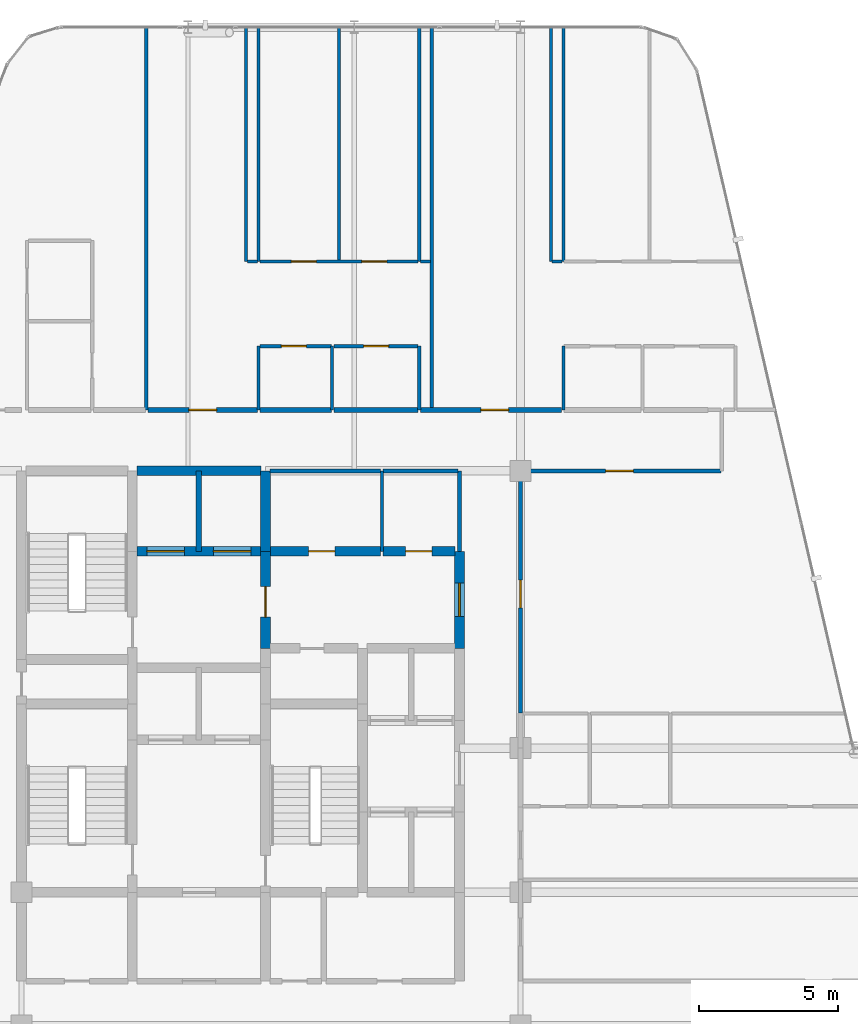
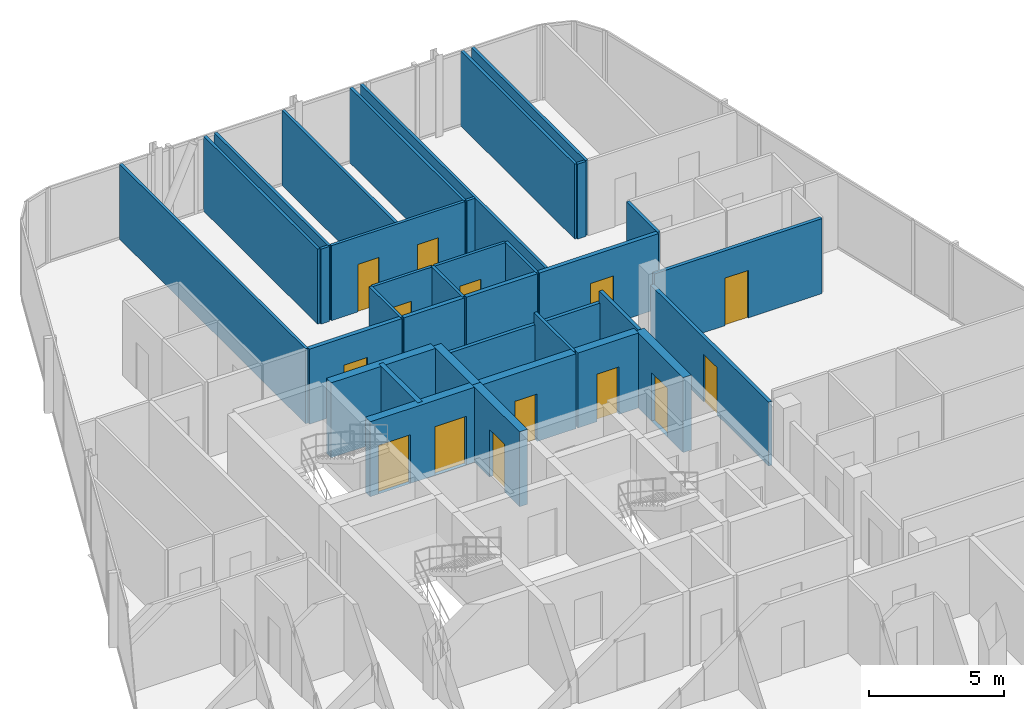
# One storey, part 27 of 29: 36 walls, 14 doors, 14 openings.
"""IFC4 building model written with IfcOpenShell, lengths in metres."""

from ifc_helpers import new_model, si_unit, direction, frame, frame_2d, origin, place, context, subcontext, project, spatial, rectangle, extrude, material, layer, layer_set, type_object, element, fill, save


model = new_model("IFC4")

# Units and contexts
model_context = context("Model", 3, precision=1e-05, world=origin(), true_north=direction((0.0, 1.0)))
body_context = subcontext(model_context, "Body", "Model", "MODEL_VIEW")
ifc_project = project(units=[si_unit("LENGTHUNIT", "METRE"), si_unit("AREAUNIT", "SQUARE_METRE"), si_unit("VOLUMEUNIT", "CUBIC_METRE"), si_unit("PLANEANGLEUNIT", "RADIAN"), si_unit("MASSUNIT", "GRAM", prefix="KILO")], contexts=[model_context])

# Site, building, storey
site_placement = place(None, origin())
site = spatial("IfcSite", under=ifc_project, at=site_placement, CompositionType="ELEMENT")
building_placement = place(site_placement, origin())
building = spatial("IfcBuilding", under=site, at=building_placement, Name="Keshet Zoharim Tower", CompositionType="ELEMENT")
storey_placement = place(building_placement, frame((0.0, 0.0, 210.60009765625)))
storey = spatial("IfcBuildingStorey", under=building, at=storey_placement, Name="L52", CompositionType="ELEMENT", Elevation=210.60009765625)

# Wall
ifc_material_1 = material(Name="Gypsum Plasterboard", Category="gypsum")
ifc_layer_1 = layer(ifc_material_1, 0.14990234375)
ifc_layer_set_1 = layer_set([ifc_layer_1], Name="Gypsum Plasterboard")
wall_type_1 = type_object("IfcWallType", Name="WL-CLIN-150", PredefinedType="STANDARD", material=ifc_layer_set_1)
wall_1_placement = place(storey_placement, frame((30.800048828125, 35.0, 0.0), z_axis=(0.0, 0.0, 1.0), x_axis=(0.0, 1.0, 0.0)))
element("IfcWall", 1, at=wall_1_placement, inside=storey, type_object=wall_type_1, Name="L52 Interior Wall 065", PredefinedType="STANDARD", context=body_context, shape_type="SweptSolid", body=[
    extrude(rectangle(XDim=2.89990234375, YDim=0.14990234375, at=frame_2d((1.449951171875, 0.0))), origin(), (0.0, 0.0, 1.0), 3.389892578125),
])

# Wall, opening, door
wall_2_placement = place(storey_placement, frame((33.0, 29.159912109375, 0.0), z_axis=(0.0, 0.0, 1.0), x_axis=(0.0, 1.0, 0.0)))
wall_2 = element("IfcWall", 2, at=wall_2_placement, inside=storey, type_object=wall_type_1, Name="L52 Interior Wall 070", PredefinedType="STANDARD", context=body_context, shape_type="SweptSolid", body=[
    extrude(rectangle(XDim=8.739990234375, YDim=0.14990234375, at=frame_2d((4.3701171875, 0.0))), origin(), (0.0, 0.0, 1.0), 2.889892578125),
])
opening_1_placement = place(wall_2_placement, frame((3.799072265625, 0.0, 0.0)))
opening_1 = element("IfcOpeningElement", 3, at=opening_1_placement, cuts=wall_2, Name="Opening D-F310", PredefinedType="OPENING", context=body_context, shape_type="SweptSolid", body=[
    extrude(rectangle(XDim=1.0, YDim=2.14990234375, at=frame_2d((0.5, 1.074951171875))), frame((0.0, 0.0849609375, 0.0), z_axis=(0.0, -1.0, 0.0), x_axis=(1.0, 0.0, 0.0)), (0.0, 0.0, 1.0), 0.169921875),
])
ifc_material_2 = material(Name="Hardwood Timber", Category="wood")
door_type_1 = type_object("IfcDoorType", Name="DR-FD30-100", OperationType="NOTDEFINED", PredefinedType="DOOR", material=ifc_material_2)
door_1_placement = place(opening_1_placement, origin())
door_1 = element("IfcDoor", 4, at=door_1_placement, inside=storey, type_object=door_type_1, Name="L52 North West Residents Services Suite Door 1", OperationType="SINGLE_SWING_RIGHT", OverallHeight=2.14990234375, OverallWidth=1.0, PredefinedType="DOOR", context=body_context, shape_type="SweptSolid", body=[
    extrude(rectangle(XDim=1.0, YDim=2.14990234375, at=frame_2d((0.5, 1.074951171875))), frame((0.0, 0.02490234375, 0.0), z_axis=(0.0, -1.0, 0.0), x_axis=(1.0, 0.0, 0.0)), (0.0, 0.0, 1.0), 0.050048828125),
])
fill(opening_1, door_1)

# Walls
wall_3_placement = place(storey_placement, frame((23.9599609375, 37.89990234375, 0.0), z_axis=(0.0, 0.0, 1.0), x_axis=(1.0, 0.0, 0.0)))
element("IfcWall", 5, at=wall_3_placement, inside=storey, type_object=wall_type_1, Name="L52 Interior Wall 175", PredefinedType="STANDARD", context=body_context, shape_type="SweptSolid", body=[
    extrude(rectangle(XDim=3.9951171875, YDim=0.14990234375, at=frame_2d((1.99755859375, 0.0))), origin(), (0.0, 0.0, 1.0), 2.889892578125),
])
wall_4_placement = place(storey_placement, frame((28.044921875, 37.89990234375, 0.0), z_axis=(0.0, 0.0, 1.0), x_axis=(1.0, 0.0, 0.0)))
element("IfcWall", 6, at=wall_4_placement, inside=storey, type_object=wall_type_1, Name="L52 Interior Wall 176", PredefinedType="STANDARD", context=body_context, shape_type="SweptSolid", body=[
    extrude(rectangle(XDim=2.695068359375, YDim=0.14990234375, at=frame_2d((1.34765625, 0.0))), origin(), (0.0, 0.0, 1.0), 2.889892578125),
])

# Wall, opening, door
wall_5_placement = place(storey_placement, frame((33.06005859375, 37.89990234375, 0.0), z_axis=(0.0, 0.0, 1.0), x_axis=(1.0, 0.0, 0.0)))
wall_5 = element("IfcWall", 7, at=wall_5_placement, inside=storey, type_object=wall_type_1, Name="L52 Interior Wall 177", PredefinedType="STANDARD", context=body_context, shape_type="SweptSolid", body=[
    extrude(rectangle(XDim=7.1640625, YDim=0.14990234375, at=frame_2d((3.58203125, 0.0))), origin(), (0.0, 0.0, 1.0), 3.389892578125),
])
opening_2_placement = place(wall_5_placement, frame((3.00390625, 0.0, 0.0)))
opening_2 = element("IfcOpeningElement", 8, at=opening_2_placement, cuts=wall_5, Name="Opening D-F310", PredefinedType="OPENING", context=body_context, shape_type="SweptSolid", body=[
    extrude(rectangle(XDim=1.0, YDim=2.14990234375, at=frame_2d((0.5, 1.074951171875))), frame((0.0, 0.0849609375, 0.0), z_axis=(0.0, -1.0, 0.0), x_axis=(1.0, 0.0, 0.0)), (0.0, 0.0, 1.0), 0.169921875),
])
door_2_placement = place(opening_2_placement, origin())
door_2 = element("IfcDoor", 9, at=door_2_placement, inside=storey, type_object=door_type_1, Name="L52 North West Residents Services Suite Door 2", OperationType="SINGLE_SWING_RIGHT", OverallHeight=2.14990234375, OverallWidth=1.0, PredefinedType="DOOR", context=body_context, shape_type="SweptSolid", body=[
    extrude(rectangle(XDim=1.0, YDim=2.14990234375, at=frame_2d((0.5, 1.074951171875))), frame((0.0, 0.02490234375, 0.0), z_axis=(0.0, -1.0, 0.0), x_axis=(1.0, 0.0, 0.0)), (0.0, 0.0, 1.0), 0.050048828125),
])
fill(opening_2, door_2)

ifc_material_3 = material(Name="Concrete C60/75", Category="concrete")
ifc_layer_2 = layer(ifc_material_3, 0.35009765625)
ifc_layer_set_2 = layer_set([ifc_layer_2], Name="Concrete C60/75")
wall_type_2 = type_object("IfcWallType", Name="WL-CORE-350", PredefinedType="SHEAR", material=ifc_layer_set_2)
wall_6_placement = place(storey_placement, frame((23.800048828125, 31.5, 0.0), z_axis=(0.0, 0.0, 1.0), x_axis=(0.0, 1.0, 0.0)))
wall_6 = element("IfcWall", 10, at=wall_6_placement, inside=storey, type_object=wall_type_2, Name="L52 Core Shear Wall 042", PredefinedType="SHEAR", context=body_context, shape_type="SweptSolid", body=[
    extrude(rectangle(XDim=3.5, YDim=0.35009765625, at=frame_2d((1.75, 0.0))), origin(), (0.0, 0.0, 1.0), 3.389892578125),
])
opening_3_placement = place(wall_6_placement, frame((1.126953125, 0.0, 0.0)))
opening_3 = element("IfcOpeningElement", 11, at=opening_3_placement, cuts=wall_6, Name="Opening D-F611", PredefinedType="OPENING", context=body_context, shape_type="SweptSolid", body=[
    extrude(rectangle(XDim=1.10009765625, YDim=2.14990234375, at=frame_2d((0.550048828125, 1.074951171875))), frame((0.0, 0.18505859375, 0.0), z_axis=(0.0, -1.0, 0.0), x_axis=(1.0, 0.0, 0.0)), (0.0, 0.0, 1.0), 0.3701171875),
])
door_type_2 = type_object("IfcDoorType", Name="DR-FD60-110", OperationType="NOTDEFINED", PredefinedType="DOOR", material=ifc_material_2)
door_3_placement = place(opening_3_placement, origin())
door_3 = element("IfcDoor", 12, at=door_3_placement, inside=storey, type_object=door_type_2, Name="L52 Firefighting Lobby Fire Door", OperationType="SINGLE_SWING_LEFT", OverallHeight=2.14990234375, OverallWidth=1.10009765625, PredefinedType="DOOR", context=body_context, shape_type="SweptSolid", body=[
    extrude(rectangle(XDim=1.10009765625, YDim=2.14990234375, at=frame_2d((0.550048828125, 1.074951171875))), frame((0.0, 0.02490234375, 0.0), z_axis=(0.0, -1.0, 0.0), x_axis=(1.0, 0.0, 0.0)), (0.0, 0.0, 1.0), 0.050048828125),
])
fill(opening_3, door_3)

# Wall
wall_7_placement = place(storey_placement, frame((23.800048828125, 35.0, 0.0), z_axis=(0.0, 0.0, 1.0), x_axis=(0.0, 1.0, 0.0)))
element("IfcWall", 13, at=wall_7_placement, inside=storey, type_object=wall_type_2, Name="L52 Core Shear Wall 043", PredefinedType="SHEAR", context=body_context, shape_type="SweptSolid", body=[
    extrude(rectangle(XDim=2.89990234375, YDim=0.35009765625, at=frame_2d((1.449951171875, 0.0))), origin(), (0.0, 0.0, 1.0), 3.389892578125),
])

# Wall, opening, door
wall_8_placement = place(storey_placement, frame((30.800048828125, 31.5, 0.0), z_axis=(0.0, 0.0, 1.0), x_axis=(0.0, 1.0, 0.0)))
wall_8 = element("IfcWall", 14, at=wall_8_placement, inside=storey, type_object=wall_type_2, Name="L52 Core Shear Wall 064", PredefinedType="SHEAR", context=body_context, shape_type="SweptSolid", body=[
    extrude(rectangle(XDim=3.5, YDim=0.35009765625, at=frame_2d((1.75, 0.0))), origin(), (0.0, 0.0, 1.0), 3.389892578125),
])
opening_4_placement = place(wall_8_placement, frame((1.14990234375, 0.0, 0.0)))
opening_4 = element("IfcOpeningElement", 15, at=opening_4_placement, cuts=wall_8, Name="Opening D-F612", PredefinedType="OPENING", context=body_context, shape_type="SweptSolid", body=[
    extrude(rectangle(XDim=1.199951171875, YDim=2.199951171875, at=frame_2d((0.60009765625, 1.10009765625))), frame((0.0, 0.18505859375, 0.0), z_axis=(0.0, -1.0, 0.0), x_axis=(1.0, 0.0, 0.0)), (0.0, 0.0, 1.0), 0.3701171875),
])
door_type_3 = type_object("IfcDoorType", Name="DR-FD60-120", OperationType="NOTDEFINED", PredefinedType="DOOR", material=ifc_material_2)
door_4_placement = place(opening_4_placement, origin())
door_4 = element("IfcDoor", 16, at=door_4_placement, inside=storey, type_object=door_type_3, Name="L52 North Lift Lobby East Fire Door", OperationType="SINGLE_SWING_LEFT", OverallHeight=2.199951171875, OverallWidth=1.199951171875, PredefinedType="DOOR", context=body_context, shape_type="SweptSolid", body=[
    extrude(rectangle(XDim=1.199951171875, YDim=2.199951171875, at=frame_2d((0.60009765625, 1.10009765625))), frame((0.0, 0.02490234375, 0.0), z_axis=(0.0, -1.0, 0.0), x_axis=(1.0, 0.0, 0.0)), (0.0, 0.0, 1.0), 0.050048828125),
])
fill(opening_4, door_4)

# Wall, openings, doors
wall_9_placement = place(storey_placement, frame((19.159912109375, 35.0, 0.0), z_axis=(0.0, 0.0, 1.0), x_axis=(1.0, 0.0, 0.0)))
wall_9 = element("IfcWall", 17, at=wall_9_placement, inside=storey, type_object=wall_type_2, Name="L52 Core Shear Wall 170", PredefinedType="SHEAR", context=body_context, shape_type="SweptSolid", body=[
    extrude(rectangle(XDim=4.47998046875, YDim=0.35009765625, at=frame_2d((2.239990234375, 0.0))), origin(), (0.0, 0.0, 1.0), 3.389892578125),
])
opening_5_placement = place(wall_9_placement, frame((0.364990234375, 0.0, 0.0)))
opening_5 = element("IfcOpeningElement", 18, at=opening_5_placement, cuts=wall_9, Name="Opening LD-02", PredefinedType="OPENING", context=body_context, shape_type="SweptSolid", body=[
    extrude(rectangle(XDim=1.35009765625, YDim=2.199951171875, at=frame_2d((0.675048828125, 1.10009765625))), frame((0.0, 0.18505859375, 0.0), z_axis=(0.0, -1.0, 0.0), x_axis=(1.0, 0.0, 0.0)), (0.0, 0.0, 1.0), 0.3701171875),
])
opening_6_placement = place(wall_9_placement, frame((2.764892578125, 0.0, 0.0)))
opening_6 = element("IfcOpeningElement", 19, at=opening_6_placement, cuts=wall_9, Name="Opening LD-02", PredefinedType="OPENING", context=body_context, shape_type="SweptSolid", body=[
    extrude(rectangle(XDim=1.35009765625, YDim=2.199951171875, at=frame_2d((0.675048828125, 1.10009765625))), frame((0.0, 0.18505859375, 0.0), z_axis=(0.0, -1.0, 0.0), x_axis=(1.0, 0.0, 0.0)), (0.0, 0.0, 1.0), 0.3701171875),
])
ifc_material_4 = material(Name="Steel S355", Category="steel")
door_type_4 = type_object("IfcDoorType", Name="DR-LD02-135", OperationType="DOUBLE_DOOR_SLIDING", PredefinedType="DOOR", material=ifc_material_4)
door_5_placement = place(opening_5_placement, origin())
door_5 = element("IfcDoor", 20, at=door_5_placement, inside=storey, type_object=door_type_4, Name="L52 Firefighting Lift Landing Door FF-01", OperationType="DOUBLE_DOOR_SLIDING", OverallHeight=2.199951171875, OverallWidth=1.35009765625, PredefinedType="DOOR", context=body_context, shape_type="SweptSolid", body=[
    extrude(rectangle(XDim=1.35009765625, YDim=2.199951171875, at=frame_2d((0.675048828125, 1.10009765625))), frame((0.0, 0.02490234375, 0.0), z_axis=(0.0, -1.0, 0.0), x_axis=(1.0, 0.0, 0.0)), (0.0, 0.0, 1.0), 0.050048828125),
])
fill(opening_5, door_5)
door_6_placement = place(opening_6_placement, origin())
door_6 = element("IfcDoor", 21, at=door_6_placement, inside=storey, type_object=door_type_4, Name="L52 Firefighting Lift Landing Door FF-02", OperationType="DOUBLE_DOOR_SLIDING", OverallHeight=2.199951171875, OverallWidth=1.35009765625, PredefinedType="DOOR", context=body_context, shape_type="SweptSolid", body=[
    extrude(rectangle(XDim=1.35009765625, YDim=2.199951171875, at=frame_2d((0.675048828125, 1.10009765625))), frame((0.0, 0.02490234375, 0.0), z_axis=(0.0, -1.0, 0.0), x_axis=(1.0, 0.0, 0.0)), (0.0, 0.0, 1.0), 0.050048828125),
])
fill(opening_6, door_6)

# Wall, opening, door
wall_10_placement = place(storey_placement, frame((23.9599609375, 35.0, 0.0), z_axis=(0.0, 0.0, 1.0), x_axis=(1.0, 0.0, 0.0)))
wall_10 = element("IfcWall", 22, at=wall_10_placement, inside=storey, type_object=wall_type_2, Name="L52 Core Shear Wall 171", PredefinedType="SHEAR", context=body_context, shape_type="SweptSolid", body=[
    extrude(rectangle(XDim=3.9951171875, YDim=0.35009765625, at=frame_2d((1.99755859375, 0.0))), origin(), (0.0, 0.0, 1.0), 3.389892578125),
])
opening_7_placement = place(wall_10_placement, frame((1.39306640625, 0.0, 0.0)))
opening_7 = element("IfcOpeningElement", 23, at=opening_7_placement, cuts=wall_10, Name="Opening D-F695", PredefinedType="OPENING", context=body_context, shape_type="SweptSolid", body=[
    extrude(rectangle(XDim=0.949951171875, YDim=2.14990234375, at=frame_2d((0.47509765625, 1.074951171875))), frame((0.0, 0.18505859375, 0.0), z_axis=(0.0, -1.0, 0.0), x_axis=(1.0, 0.0, 0.0)), (0.0, 0.0, 1.0), 0.3701171875),
])
door_type_5 = type_object("IfcDoorType", Name="DR-FD60-095", OperationType="NOTDEFINED", PredefinedType="DOOR", material=ifc_material_2)
door_7_placement = place(opening_7_placement, frame((0.949951171875, 0.0, 0.0), z_axis=(0.0, 0.0, 1.0), x_axis=(-1.0, 0.0, 0.0)))
door_7 = element("IfcDoor", 24, at=door_7_placement, inside=storey, type_object=door_type_5, Name="L52 Laundry Room Door", OperationType="SINGLE_SWING_RIGHT", OverallHeight=2.14990234375, OverallWidth=0.949951171875, PredefinedType="DOOR", context=body_context, shape_type="SweptSolid", body=[
    extrude(rectangle(XDim=0.949951171875, YDim=2.14990234375, at=frame_2d((0.47509765625, 1.074951171875))), frame((0.0, 0.02490234375, 0.0), z_axis=(0.0, -1.0, 0.0), x_axis=(1.0, 0.0, 0.0)), (0.0, 0.0, 1.0), 0.050048828125),
])
fill(opening_7, door_7)

wall_11_placement = place(storey_placement, frame((28.044921875, 35.0, 0.0), z_axis=(0.0, 0.0, 1.0), x_axis=(1.0, 0.0, 0.0)))
wall_11 = element("IfcWall", 25, at=wall_11_placement, inside=storey, type_object=wall_type_2, Name="L52 Core Shear Wall 172", PredefinedType="SHEAR", context=body_context, shape_type="SweptSolid", body=[
    extrude(rectangle(XDim=2.594970703125, YDim=0.35009765625, at=frame_2d((1.29736328125, 0.0))), origin(), (0.0, 0.0, 1.0), 3.389892578125),
])
opening_8_placement = place(wall_11_placement, frame((0.805908203125, 0.0, 0.0)))
opening_8 = element("IfcOpeningElement", 26, at=opening_8_placement, cuts=wall_11, Name="Opening D-F695", PredefinedType="OPENING", context=body_context, shape_type="SweptSolid", body=[
    extrude(rectangle(XDim=0.949951171875, YDim=2.14990234375, at=frame_2d((0.47509765625, 1.074951171875))), frame((0.0, 0.18505859375, 0.0), z_axis=(0.0, -1.0, 0.0), x_axis=(1.0, 0.0, 0.0)), (0.0, 0.0, 1.0), 0.3701171875),
])
door_8_placement = place(opening_8_placement, frame((0.949951171875, 0.0, 0.0), z_axis=(0.0, 0.0, 1.0), x_axis=(-1.0, 0.0, 0.0)))
door_8 = element("IfcDoor", 27, at=door_8_placement, inside=storey, type_object=door_type_5, Name="L52 Quiet Study Room Door", OperationType="SINGLE_SWING_LEFT", OverallHeight=2.14990234375, OverallWidth=0.949951171875, PredefinedType="DOOR", context=body_context, shape_type="SweptSolid", body=[
    extrude(rectangle(XDim=0.949951171875, YDim=2.14990234375, at=frame_2d((0.47509765625, 1.074951171875))), frame((0.0, 0.02490234375, 0.0), z_axis=(0.0, -1.0, 0.0), x_axis=(1.0, 0.0, 0.0)), (0.0, 0.0, 1.0), 0.050048828125),
])
fill(opening_8, door_8)

# Wall
wall_12_placement = place(storey_placement, frame((19.159912109375, 37.89990234375, 0.0), z_axis=(0.0, 0.0, 1.0), x_axis=(1.0, 0.0, 0.0)))
element("IfcWall", 28, at=wall_12_placement, inside=storey, type_object=wall_type_2, Name="L52 Core Shear Wall 174", PredefinedType="SHEAR", context=body_context, shape_type="SweptSolid", body=[
    extrude(rectangle(XDim=4.47998046875, YDim=0.35009765625, at=frame_2d((2.239990234375, 0.0))), origin(), (0.0, 0.0, 1.0), 3.389892578125),
])

# Wall, opening, door
ifc_layer_3 = layer(ifc_material_1, 0.179931640625)
ifc_layer_set_3 = layer_set([ifc_layer_3], Name="Gypsum Plasterboard")
wall_type_3 = type_object("IfcWallType", Name="WL-CORR-180", PredefinedType="STANDARD", material=ifc_layer_set_3)
wall_13_placement = place(storey_placement, frame((19.554931640625, 40.10009765625, 0.0), z_axis=(0.0, 0.0, 1.0), x_axis=(1.0, 0.0, 0.0)))
wall_13 = element("IfcWall", 29, at=wall_13_placement, inside=storey, type_object=wall_type_3, Name="L52 Interior Wall 183", PredefinedType="STANDARD", context=body_context, shape_type="SweptSolid", body=[
    extrude(rectangle(XDim=3.9599609375, YDim=0.179931640625, at=frame_2d((1.97998046875, 0.0))), origin(), (0.0, 0.0, 1.0), 3.389892578125),
])
opening_9_placement = place(wall_13_placement, frame((1.47998046875, 0.0, 0.0)))
opening_9 = element("IfcOpeningElement", 30, at=opening_9_placement, cuts=wall_13, Name="Opening D-F310", PredefinedType="OPENING", context=body_context, shape_type="SweptSolid", body=[
    extrude(rectangle(XDim=1.0, YDim=2.14990234375, at=frame_2d((0.5, 1.074951171875))), frame((0.0, 0.10009765625, 0.0), z_axis=(0.0, -1.0, 0.0), x_axis=(1.0, 0.0, 0.0)), (0.0, 0.0, 1.0), 0.199951171875),
])
door_9_placement = place(opening_9_placement, origin())
door_9 = element("IfcDoor", 31, at=door_9_placement, inside=storey, type_object=door_type_1, Name="Apartment 5205 Entrance Door", OperationType="SINGLE_SWING_RIGHT", OverallHeight=2.14990234375, OverallWidth=1.0, PredefinedType="DOOR", context=body_context, shape_type="SweptSolid", body=[
    extrude(rectangle(XDim=1.0, YDim=2.14990234375, at=frame_2d((0.5, 1.074951171875))), frame((0.0, 0.02490234375, 0.0), z_axis=(0.0, -1.0, 0.0), x_axis=(1.0, 0.0, 0.0)), (0.0, 0.0, 1.0), 0.050048828125),
])
fill(opening_9, door_9)

# Walls
wall_14_placement = place(storey_placement, frame((23.60498046875, 40.10009765625, 0.0), z_axis=(0.0, 0.0, 1.0), x_axis=(1.0, 0.0, 0.0)))
element("IfcWall", 32, at=wall_14_placement, inside=storey, type_object=wall_type_3, Name="L52 Interior Wall 184", PredefinedType="STANDARD", context=body_context, shape_type="SweptSolid", body=[
    extrude(rectangle(XDim=2.572998046875, YDim=0.179931640625, at=frame_2d((1.28662109375, 0.0))), origin(), (0.0, 0.0, 1.0), 3.389892578125),
])
wall_15_placement = place(storey_placement, frame((26.26806640625, 40.10009765625, 0.0), z_axis=(0.0, 0.0, 1.0), x_axis=(1.0, 0.0, 0.0)))
element("IfcWall", 33, at=wall_15_placement, inside=storey, type_object=wall_type_3, Name="L52 Interior Wall 185", PredefinedType="STANDARD", context=body_context, shape_type="SweptSolid", body=[
    extrude(rectangle(XDim=3.036865234375, YDim=0.179931640625, at=frame_2d((1.5185546875, 0.0))), origin(), (0.0, 0.0, 1.0), 3.389892578125),
])

# Wall, opening, door
wall_16_placement = place(storey_placement, frame((29.39501953125, 40.10009765625, 0.0), z_axis=(0.0, 0.0, 1.0), x_axis=(1.0, 0.0, 0.0)))
wall_16 = element("IfcWall", 34, at=wall_16_placement, inside=storey, type_object=wall_type_3, Name="L52 Interior Wall 186", PredefinedType="STANDARD", context=body_context, shape_type="SweptSolid", body=[
    extrude(rectangle(XDim=5.090087890625, YDim=0.179931640625, at=frame_2d((2.544921875, 0.0))), origin(), (0.0, 0.0, 1.0), 3.389892578125),
])
opening_10_placement = place(wall_16_placement, frame((2.174072265625, 0.0, 0.0)))
opening_10 = element("IfcOpeningElement", 35, at=opening_10_placement, cuts=wall_16, Name="Opening D-F310", PredefinedType="OPENING", context=body_context, shape_type="SweptSolid", body=[
    extrude(rectangle(XDim=1.0, YDim=2.14990234375, at=frame_2d((0.5, 1.074951171875))), frame((0.0, 0.10009765625, 0.0), z_axis=(0.0, -1.0, 0.0), x_axis=(1.0, 0.0, 0.0)), (0.0, 0.0, 1.0), 0.199951171875),
])
door_10_placement = place(opening_10_placement, origin())
door_10 = element("IfcDoor", 36, at=door_10_placement, inside=storey, type_object=door_type_1, Name="Apartment 5206 Entrance Door", OperationType="SINGLE_SWING_LEFT", OverallHeight=2.14990234375, OverallWidth=1.0, PredefinedType="DOOR", context=body_context, shape_type="SweptSolid", body=[
    extrude(rectangle(XDim=1.0, YDim=2.14990234375, at=frame_2d((0.5, 1.074951171875))), frame((0.0, 0.02490234375, 0.0), z_axis=(0.0, -1.0, 0.0), x_axis=(1.0, 0.0, 0.0)), (0.0, 0.0, 1.0), 0.050048828125),
])
fill(opening_10, door_10)

# Walls
ifc_material_5 = material(Name="Concrete C50/60", Category="concrete")
ifc_layer_4 = layer(ifc_material_5, 0.199951171875)
ifc_layer_set_4 = layer_set([ifc_layer_4], Name="Concrete C50/60")
wall_type_4 = type_object("IfcWallType", Name="WL-FIRE-200", PredefinedType="STANDARD", material=ifc_layer_set_4)
wall_17_placement = place(storey_placement, frame((21.39990234375, 35.0, 0.0), z_axis=(0.0, 0.0, 1.0), x_axis=(0.0, 1.0, 0.0)))
element("IfcWall", 37, at=wall_17_placement, inside=storey, type_object=wall_type_4, Name="L52 Interior Wall 033", PredefinedType="STANDARD", context=body_context, shape_type="SweptSolid", body=[
    extrude(rectangle(XDim=2.89990234375, YDim=0.199951171875, at=frame_2d((1.449951171875, 0.0))), origin(), (0.0, 0.0, 1.0), 3.389892578125),
])
ifc_layer_5 = layer(ifc_material_1, 0.1201171875)
ifc_layer_set_5 = layer_set([ifc_layer_5], Name="Gypsum Plasterboard")
wall_type_5 = type_object("IfcWallType", Name="WL-PART-120", PredefinedType="PARTITIONING", material=ifc_layer_set_5)
wall_18_placement = place(storey_placement, frame((19.5, 40.10009765625, 0.0), z_axis=(0.0, 0.0, 1.0), x_axis=(0.0, 1.0, 0.0)))
element("IfcWall", 38, at=wall_18_placement, inside=storey, type_object=wall_type_5, Name="L52 Interior Wall 030", PredefinedType="PARTITIONING", context=body_context, shape_type="SweptSolid", body=[
    extrude(rectangle(XDim=13.789794921875, YDim=0.1201171875, at=frame_2d((6.89501953125, 0.0))), origin(), (0.0, 0.0, 1.0), 3.389892578125),
])
wall_19_placement = place(storey_placement, frame((23.10009765625, 45.449951171875, 0.0), z_axis=(0.0, 0.0, 1.0), x_axis=(0.0, 1.0, 0.0)))
element("IfcWall", 39, at=wall_19_placement, inside=storey, type_object=wall_type_5, Name="L52 Interior Wall 034", PredefinedType="PARTITIONING", context=body_context, shape_type="SweptSolid", body=[
    extrude(rectangle(XDim=8.43994140625, YDim=0.1201171875, at=frame_2d((4.219970703125, 0.0))), origin(), (0.0, 0.0, 1.0), 3.389892578125),
])
wall_20_placement = place(storey_placement, frame((23.550048828125, 40.10009765625, 0.0), z_axis=(0.0, 0.0, 1.0), x_axis=(0.0, 1.0, 0.0)))
element("IfcWall", 40, at=wall_20_placement, inside=storey, type_object=wall_type_5, Name="L52 Interior Wall 035", PredefinedType="PARTITIONING", context=body_context, shape_type="SweptSolid", body=[
    extrude(rectangle(XDim=2.2998046875, YDim=0.1201171875, at=frame_2d((1.14990234375, 0.0))), origin(), (0.0, 0.0, 1.0), 3.389892578125),
])
for number, where, z_axis, x_axis, name in (
    (41, (23.550048828125, 45.449951171875, 0.0), (0.0, 0.0, 1.0), (0.0, 1.0, 0.0), "L52 Interior Wall 036"),
    (42, (26.449951171875, 45.449951171875, 0.0), (0.0, 0.0, 1.0), (0.0, 1.0, 0.0), "L52 Interior Wall 047"),
):
    element("IfcWall", number, at=place(storey_placement, frame(where, z_axis=z_axis, x_axis=x_axis)), inside=storey, type_object=wall_type_5, Name=name, PredefinedType="PARTITIONING", context=body_context, shape_type="SweptSolid", body=[
        extrude(rectangle(XDim=8.43994140625, YDim=0.1201171875, at=frame_2d((4.219970703125, 0.0))), origin(), (0.0, 0.0, 1.0), 3.389892578125),
    ])
wall_21_placement = place(storey_placement, frame((28.0, 35.0, 0.0), z_axis=(0.0, 0.0, 1.0), x_axis=(0.0, 1.0, 0.0)))
element("IfcWall", 43, at=wall_21_placement, inside=storey, type_object=wall_type_5, Name="L52 Interior Wall 052", PredefinedType="PARTITIONING", context=body_context, shape_type="SweptSolid", body=[
    extrude(rectangle(XDim=2.89990234375, YDim=0.1201171875, at=frame_2d((1.449951171875, 0.0))), origin(), (0.0, 0.0, 1.0), 3.389892578125),
])
wall_22_placement = place(storey_placement, frame((29.35009765625, 45.449951171875, 0.0), z_axis=(0.0, 0.0, 1.0), x_axis=(0.0, 1.0, 0.0)))
element("IfcWall", 44, at=wall_22_placement, inside=storey, type_object=wall_type_5, Name="L52 Interior Wall 056", PredefinedType="PARTITIONING", context=body_context, shape_type="SweptSolid", body=[
    extrude(rectangle(XDim=8.43994140625, YDim=0.1201171875, at=frame_2d((4.219970703125, 0.0))), origin(), (0.0, 0.0, 1.0), 3.389892578125),
])
wall_23_placement = place(storey_placement, frame((29.800048828125, 40.10009765625, 0.0), z_axis=(0.0, 0.0, 1.0), x_axis=(0.0, 1.0, 0.0)))
element("IfcWall", 45, at=wall_23_placement, inside=storey, type_object=wall_type_5, Name="L52 Interior Wall 059", PredefinedType="PARTITIONING", context=body_context, shape_type="SweptSolid", body=[
    extrude(rectangle(XDim=13.789794921875, YDim=0.1201171875, at=frame_2d((6.89501953125, 0.0))), origin(), (0.0, 0.0, 1.0), 3.389892578125),
])
wall_24_placement = place(storey_placement, frame((34.10009765625, 45.449951171875, 0.0), z_axis=(0.0, 0.0, 1.0), x_axis=(0.0, 1.0, 0.0)))
element("IfcWall", 46, at=wall_24_placement, inside=storey, type_object=wall_type_5, Name="L52 Interior Wall 071", PredefinedType="PARTITIONING", context=body_context, shape_type="SweptSolid", body=[
    extrude(rectangle(XDim=8.43994140625, YDim=0.1201171875, at=frame_2d((4.219970703125, 0.0))), origin(), (0.0, 0.0, 1.0), 3.389892578125),
])
wall_25_placement = place(storey_placement, frame((34.550048828125, 40.10009765625, 0.0), z_axis=(0.0, 0.0, 1.0), x_axis=(0.0, 1.0, 0.0)))
element("IfcWall", 47, at=wall_25_placement, inside=storey, type_object=wall_type_5, Name="L52 Interior Wall 073", PredefinedType="PARTITIONING", context=body_context, shape_type="SweptSolid", body=[
    extrude(rectangle(XDim=2.2998046875, YDim=0.1201171875, at=frame_2d((1.14990234375, 0.0))), origin(), (0.0, 0.0, 1.0), 3.389892578125),
])
wall_26_placement = place(storey_placement, frame((34.550048828125, 45.449951171875, 0.0), z_axis=(0.0, 0.0, 1.0), x_axis=(0.0, 1.0, 0.0)))
element("IfcWall", 48, at=wall_26_placement, inside=storey, type_object=wall_type_5, Name="L52 Interior Wall 074", PredefinedType="PARTITIONING", context=body_context, shape_type="SweptSolid", body=[
    extrude(rectangle(XDim=8.43994140625, YDim=0.1201171875, at=frame_2d((4.219970703125, 0.0))), origin(), (0.0, 0.0, 1.0), 3.389892578125),
])

# Wall, opening, door
wall_27_placement = place(storey_placement, frame((23.60498046875, 42.39990234375, 0.0), z_axis=(0.0, 0.0, 1.0), x_axis=(1.0, 0.0, 0.0)))
wall_27 = element("IfcWall", 49, at=wall_27_placement, inside=storey, type_object=wall_type_5, Name="L52 Interior Wall 192", PredefinedType="PARTITIONING", context=body_context, shape_type="SweptSolid", body=[
    extrude(rectangle(XDim=2.572998046875, YDim=0.1201171875, at=frame_2d((1.28662109375, 0.0))), origin(), (0.0, 0.0, 1.0), 3.389892578125),
])
opening_11_placement = place(wall_27_placement, frame((0.76611328125, 0.0, 0.0)))
opening_11 = element("IfcOpeningElement", 50, at=opening_11_placement, cuts=wall_27, Name="Opening D-IN90", PredefinedType="OPENING", context=body_context, shape_type="SweptSolid", body=[
    extrude(rectangle(XDim=0.89990234375, YDim=2.14990234375, at=frame_2d((0.449951171875, 1.074951171875))), frame((0.0, 0.070068359375, 0.0), z_axis=(0.0, -1.0, 0.0), x_axis=(1.0, 0.0, 0.0)), (0.0, 0.0, 1.0), 0.14013671875),
])
door_type_6 = type_object("IfcDoorType", Name="DR-INT-090", OperationType="NOTDEFINED", PredefinedType="DOOR", material=ifc_material_2)
door_11_placement = place(opening_11_placement, origin())
door_11 = element("IfcDoor", 51, at=door_11_placement, inside=storey, type_object=door_type_6, Name="Apartment 5205 Kitchen Door", OperationType="SINGLE_SWING_RIGHT", OverallHeight=2.14990234375, OverallWidth=0.89990234375, PredefinedType="DOOR", context=body_context, shape_type="SweptSolid", body=[
    extrude(rectangle(XDim=0.89990234375, YDim=2.14990234375, at=frame_2d((0.449951171875, 1.074951171875))), frame((0.0, 0.02490234375, 0.0), z_axis=(0.0, -1.0, 0.0), x_axis=(1.0, 0.0, 0.0)), (0.0, 0.0, 1.0), 0.050048828125),
])
fill(opening_11, door_11)

# Wall
wall_28_placement = place(storey_placement, frame((23.155029296875, 45.449951171875, 0.0), z_axis=(0.0, 0.0, 1.0), x_axis=(1.0, 0.0, 0.0)))
element("IfcWall", 52, at=wall_28_placement, inside=storey, type_object=wall_type_5, Name="L52 Interior Wall 197", PredefinedType="PARTITIONING", context=body_context, shape_type="SweptSolid", body=[
    extrude(rectangle(XDim=0.35986328125, YDim=0.1201171875, at=frame_2d((0.179931640625, 0.0))), origin(), (0.0, 0.0, 1.0), 3.389892578125),
])

# Wall, openings, doors
wall_29_placement = place(storey_placement, frame((23.60498046875, 45.449951171875, 0.0), z_axis=(0.0, 0.0, 1.0), x_axis=(1.0, 0.0, 0.0)))
wall_29 = element("IfcWall", 53, at=wall_29_placement, inside=storey, type_object=wall_type_5, Name="L52 Interior Wall 198", PredefinedType="PARTITIONING", context=body_context, shape_type="SweptSolid", body=[
    extrude(rectangle(XDim=5.699951171875, YDim=0.1201171875, at=frame_2d((2.85009765625, 0.0))), origin(), (0.0, 0.0, 1.0), 3.389892578125),
])
opening_12_placement = place(wall_29_placement, frame((1.126953125, 0.0, 0.0)))
opening_12 = element("IfcOpeningElement", 54, at=opening_12_placement, cuts=wall_29, Name="Opening D-IN90", PredefinedType="OPENING", context=body_context, shape_type="SweptSolid", body=[
    extrude(rectangle(XDim=0.89990234375, YDim=2.14990234375, at=frame_2d((0.449951171875, 1.074951171875))), frame((0.0, 0.070068359375, 0.0), z_axis=(0.0, -1.0, 0.0), x_axis=(1.0, 0.0, 0.0)), (0.0, 0.0, 1.0), 0.14013671875),
])
opening_13_placement = place(wall_29_placement, frame((3.672119140625, 0.0, 0.0)))
opening_13 = element("IfcOpeningElement", 55, at=opening_13_placement, cuts=wall_29, Name="Opening D-IN90", PredefinedType="OPENING", context=body_context, shape_type="SweptSolid", body=[
    extrude(rectangle(XDim=0.89990234375, YDim=2.14990234375, at=frame_2d((0.449951171875, 1.074951171875))), frame((0.0, 0.070068359375, 0.0), z_axis=(0.0, -1.0, 0.0), x_axis=(1.0, 0.0, 0.0)), (0.0, 0.0, 1.0), 0.14013671875),
])
door_12_placement = place(opening_12_placement, origin())
door_12 = element("IfcDoor", 56, at=door_12_placement, inside=storey, type_object=door_type_6, Name="Apartment 5205 Bedroom 1 Door", OperationType="SINGLE_SWING_RIGHT", OverallHeight=2.14990234375, OverallWidth=0.89990234375, PredefinedType="DOOR", context=body_context, shape_type="SweptSolid", body=[
    extrude(rectangle(XDim=0.89990234375, YDim=2.14990234375, at=frame_2d((0.449951171875, 1.074951171875))), frame((0.0, 0.02490234375, 0.0), z_axis=(0.0, -1.0, 0.0), x_axis=(1.0, 0.0, 0.0)), (0.0, 0.0, 1.0), 0.050048828125),
])
fill(opening_12, door_12)
door_13_placement = place(opening_13_placement, origin())
door_13 = element("IfcDoor", 57, at=door_13_placement, inside=storey, type_object=door_type_6, Name="Apartment 5205 Bedroom 2 Door", OperationType="SINGLE_SWING_LEFT", OverallHeight=2.14990234375, OverallWidth=0.89990234375, PredefinedType="DOOR", context=body_context, shape_type="SweptSolid", body=[
    extrude(rectangle(XDim=0.89990234375, YDim=2.14990234375, at=frame_2d((0.449951171875, 1.074951171875))), frame((0.0, 0.02490234375, 0.0), z_axis=(0.0, -1.0, 0.0), x_axis=(1.0, 0.0, 0.0)), (0.0, 0.0, 1.0), 0.050048828125),
])
fill(opening_13, door_13)

# Walls
wall_30_placement = place(storey_placement, frame((29.39501953125, 45.449951171875, 0.0), z_axis=(0.0, 0.0, 1.0), x_axis=(1.0, 0.0, 0.0)))
element("IfcWall", 58, at=wall_30_placement, inside=storey, type_object=wall_type_5, Name="L52 Interior Wall 199", PredefinedType="PARTITIONING", context=body_context, shape_type="SweptSolid", body=[
    extrude(rectangle(XDim=0.35986328125, YDim=0.1201171875, at=frame_2d((0.179931640625, 0.0))), origin(), (0.0, 0.0, 1.0), 3.389892578125),
])
wall_31_placement = place(storey_placement, frame((34.125, 45.449951171875, 0.0), z_axis=(0.0, 0.0, 1.0), x_axis=(1.0, 0.0, 0.0)))
element("IfcWall", 59, at=wall_31_placement, inside=storey, type_object=wall_type_5, Name="L52 Interior Wall 200", PredefinedType="PARTITIONING", context=body_context, shape_type="SweptSolid", body=[
    extrude(rectangle(XDim=0.360107421875, YDim=0.1201171875, at=frame_2d((0.18017578125, 0.0))), origin(), (0.0, 0.0, 1.0), 3.389892578125),
])
ifc_layer_6 = layer(ifc_material_1, 0.1201171875)
ifc_layer_set_6 = layer_set([ifc_layer_6], Name="Gypsum Plasterboard")
wall_type_6 = type_object("IfcWallType", Name="WL-WET-120", PredefinedType="PARTITIONING", material=ifc_layer_set_6)
for number, where, z_axis, x_axis, name in (
    (60, (26.199951171875, 40.10009765625, 0.0), (0.0, 0.0, 1.0), (0.0, 1.0, 0.0), "L52 Interior Wall 046"),
    (61, (29.35009765625, 40.10009765625, 0.0), (0.0, 0.0, 1.0), (0.0, 1.0, 0.0), "L52 Interior Wall 055"),
):
    element("IfcWall", number, at=place(storey_placement, frame(where, z_axis=z_axis, x_axis=x_axis)), inside=storey, type_object=wall_type_6, Name=name, PredefinedType="PARTITIONING", context=body_context, shape_type="SweptSolid", body=[
        extrude(rectangle(XDim=2.2998046875, YDim=0.1201171875, at=frame_2d((1.14990234375, 0.0))), origin(), (0.0, 0.0, 1.0), 3.389892578125),
    ])

# Wall, opening, door
wall_32_placement = place(storey_placement, frame((26.26806640625, 42.39990234375, 0.0), z_axis=(0.0, 0.0, 1.0), x_axis=(1.0, 0.0, 0.0)))
wall_32 = element("IfcWall", 62, at=wall_32_placement, inside=storey, type_object=wall_type_6, Name="L52 Interior Wall 193", PredefinedType="PARTITIONING", context=body_context, shape_type="SweptSolid", body=[
    extrude(rectangle(XDim=3.036865234375, YDim=0.1201171875, at=frame_2d((1.5185546875, 0.0))), origin(), (0.0, 0.0, 1.0), 3.389892578125),
])
opening_14_placement = place(wall_32_placement, frame((1.069091796875, 0.0, 0.0)))
opening_14 = element("IfcOpeningElement", 63, at=opening_14_placement, cuts=wall_32, Name="Opening D-WT90", PredefinedType="OPENING", context=body_context, shape_type="SweptSolid", body=[
    extrude(rectangle(XDim=0.89990234375, YDim=2.10009765625, at=frame_2d((0.449951171875, 1.050048828125))), frame((0.0, 0.070068359375, 0.0), z_axis=(0.0, -1.0, 0.0), x_axis=(1.0, 0.0, 0.0)), (0.0, 0.0, 1.0), 0.14013671875),
])
door_type_7 = type_object("IfcDoorType", Name="DR-WET-090", OperationType="NOTDEFINED", PredefinedType="DOOR", material=ifc_material_2)
door_14_placement = place(opening_14_placement, origin())
door_14 = element("IfcDoor", 64, at=door_14_placement, inside=storey, type_object=door_type_7, Name="Apartment 5205 Bathroom Door", OperationType="SINGLE_SWING_LEFT", OverallHeight=2.10009765625, OverallWidth=0.89990234375, PredefinedType="DOOR", context=body_context, shape_type="SweptSolid", body=[
    extrude(rectangle(XDim=0.89990234375, YDim=2.10009765625, at=frame_2d((0.449951171875, 1.050048828125))), frame((0.0, 0.02490234375, 0.0), z_axis=(0.0, -1.0, 0.0), x_axis=(1.0, 0.0, 0.0)), (0.0, 0.0, 1.0), 0.050048828125),
])
fill(opening_14, door_14)

save(model, "model.ifc")
